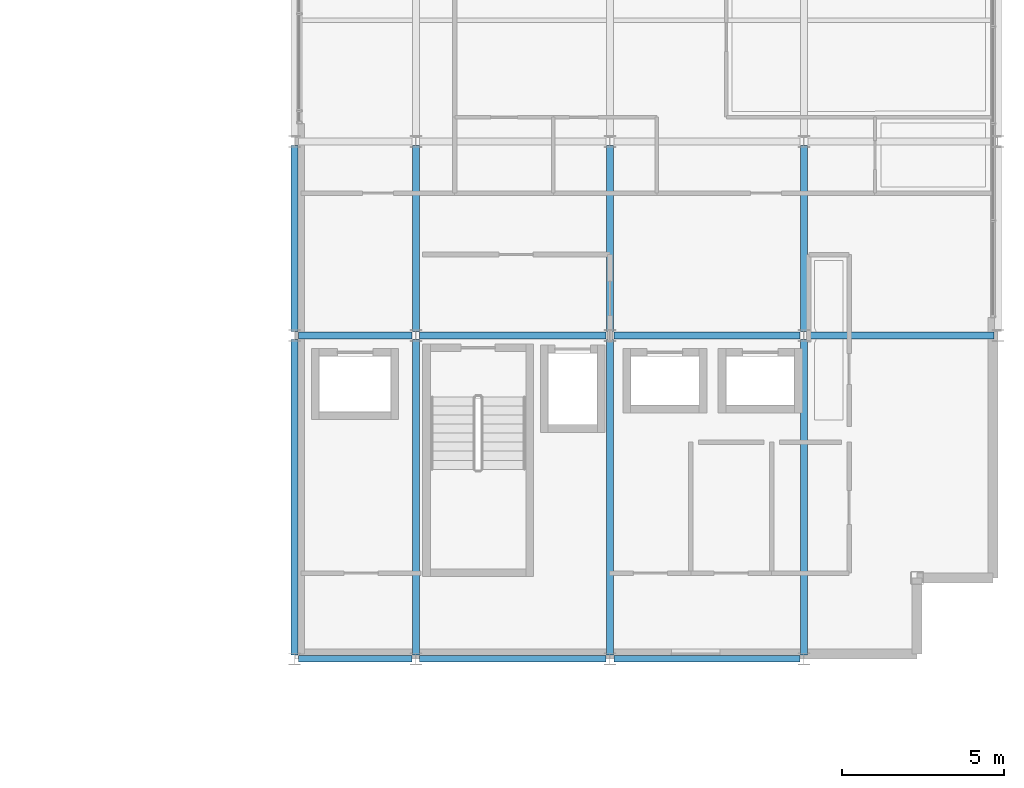
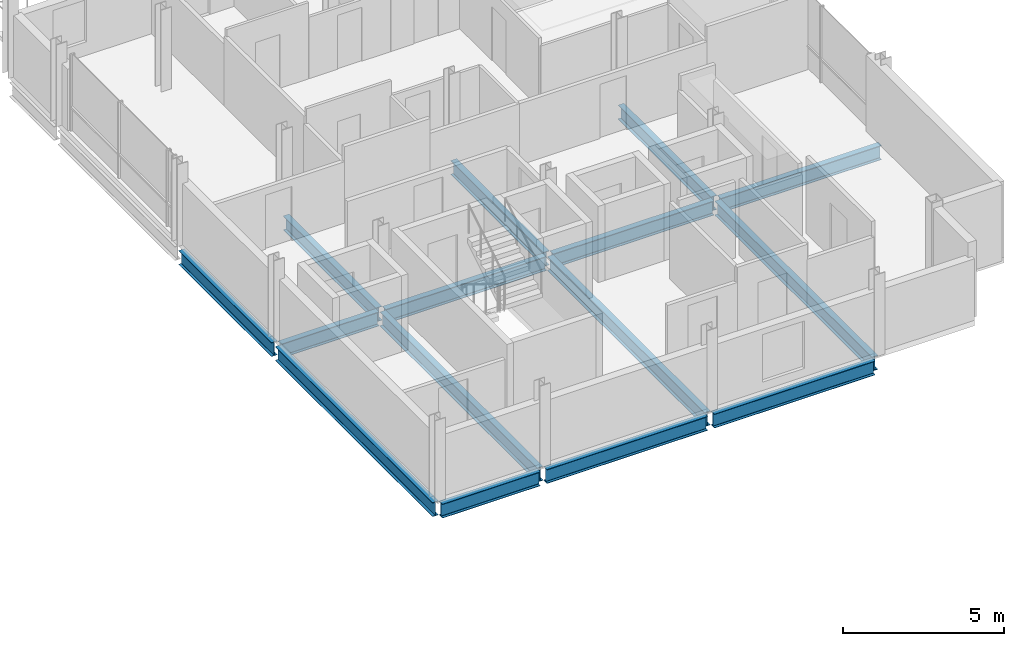
# One storey, part 10 of 29: 15 beams.
"""IFC4 building model written with IfcOpenShell, lengths in metres."""

from ifc_helpers import new_model, si_unit, direction, frame, origin, origin_2d, place, context, subcontext, project, spatial, i_section, extrude, material, material_profile, profile_set, type_object, element, save


model = new_model("IFC4")

# Units and contexts
model_context = context("Model", 3, precision=1e-05, world=origin(), true_north=direction((0.0, 1.0)))
body_context = subcontext(model_context, "Body", "Model", "MODEL_VIEW")
ifc_project = project(units=[si_unit("LENGTHUNIT", "METRE"), si_unit("AREAUNIT", "SQUARE_METRE"), si_unit("VOLUMEUNIT", "CUBIC_METRE"), si_unit("PLANEANGLEUNIT", "RADIAN"), si_unit("MASSUNIT", "GRAM", prefix="KILO")], contexts=[model_context])

# Site, building, storey
site_placement = place(None, origin())
site = spatial("IfcSite", under=ifc_project, at=site_placement, CompositionType="ELEMENT")
building_placement = place(site_placement, origin())
building = spatial("IfcBuilding", under=site, at=building_placement, Name="Brevholm Reach", CompositionType="ELEMENT")
storey_placement = place(building_placement, frame((0.0, 0.0, 208.0)))
storey = spatial("IfcBuildingStorey", under=building, at=storey_placement, Name="L63", CompositionType="ELEMENT", Elevation=208.0)

# Beams
ifc_material_1 = material(Name="Structural Steel S355J2", Category="steel")
ifc_material_profile_1 = material_profile(ifc_material_1, i_section(OverallWidth=0.209228515625, OverallDepth=0.533203125, WebThickness=0.010009765625, FlangeThickness=0.015625, FilletRadius=0.0126953125, at=origin_2d()), Name="UKB 533x210x92")
ifc_profile_set_1 = profile_set([ifc_material_profile_1], Name="Structural Steel S355J2")
beam_type_1 = type_object("IfcBeamType", Name="BM-SP533", PredefinedType="SPANDREL", material=ifc_profile_set_1)
beam_1_placement = place(storey_placement, frame((38.3701171875, 0.0, -0.4765625), z_axis=(1.0, 0.0, 0.0), x_axis=(0.0, 1.0, 0.0)))
element("IfcBeam", 1, at=beam_1_placement, inside=storey, type_object=beam_type_1, Name="L63 SP-02 Framing Beam", PredefinedType="SPANDREL", context=body_context, shape_type="SweptSolid", body=[
    extrude(i_section(OverallWidth=0.209228515625, OverallDepth=0.533203125, WebThickness=0.010009765625, FlangeThickness=0.015625, FilletRadius=0.0126953125, at=origin_2d()), origin(), (0.0, 0.0, 1.0), 3.509765625),
])
for number, where, z_axis, x_axis, name in (
    (2, (42.1201171875, 0.0, -0.4765625), (1.0, 0.0, 0.0), (0.0, 1.0, 0.0), "L63 SP-02 Framing Beam"),
    (3, (48.1201171875, 0.0, -0.4765625), (1.0, 0.0, 0.0), (0.0, 1.0, 0.0), "L63 SP-02 Framing Beam"),
):
    element("IfcBeam", number, at=place(storey_placement, frame(where, z_axis=z_axis, x_axis=x_axis)), inside=storey, type_object=beam_type_1, Name=name, PredefinedType="SPANDREL", context=body_context, shape_type="SweptSolid", body=[
        extrude(i_section(OverallWidth=0.209228515625, OverallDepth=0.533203125, WebThickness=0.010009765625, FlangeThickness=0.015625, FilletRadius=0.0126953125, at=origin_2d()), origin(), (0.0, 0.0, 1.0), 5.759765625),
    ])
beam_2_placement = place(storey_placement, frame((38.25, 0.1201171875, -0.4765625), z_axis=(0.0, 1.0, 0.0), x_axis=(-1.0, 0.0, 0.0)))
element("IfcBeam", 4, at=beam_2_placement, inside=storey, type_object=beam_type_1, Name="L63 SP-02 Framing Beam", PredefinedType="SPANDREL", context=body_context, shape_type="SweptSolid", body=[
    extrude(i_section(OverallWidth=0.209228515625, OverallDepth=0.533203125, WebThickness=0.010009765625, FlangeThickness=0.015625, FilletRadius=0.0126953125, at=origin_2d()), origin(), (0.0, 0.0, 1.0), 9.759765625),
])
beam_3_placement = place(storey_placement, frame((38.25, 10.1201171875, -0.4765625), z_axis=(0.0, 1.0, 0.0), x_axis=(-1.0, 0.0, 0.0)))
element("IfcBeam", 5, at=beam_3_placement, inside=storey, type_object=beam_type_1, Name="L63 SP-02 Framing Beam", PredefinedType="SPANDREL", context=body_context, shape_type="SweptSolid", body=[
    extrude(i_section(OverallWidth=0.209228515625, OverallDepth=0.533203125, WebThickness=0.010009765625, FlangeThickness=0.015625, FilletRadius=0.0126953125, at=origin_2d()), origin(), (0.0, 0.0, 1.0), 5.759765625),
])
ifc_material_2 = material(Name="Structural Steel S355J2", Category="steel")
ifc_material_profile_2 = material_profile(ifc_material_2, i_section(OverallWidth=0.210693359375, OverallDepth=0.53955078125, WebThickness=0.01171875, FlangeThickness=0.018798828125, FilletRadius=0.0126953125, at=origin_2d()), Name="UKB 533x210x109")
ifc_profile_set_2 = profile_set([ifc_material_profile_2], Name="Structural Steel S355J2")
beam_type_2 = type_object("IfcBeamType", Name="BM-SP539", PredefinedType="SPANDREL", material=ifc_profile_set_2)
beam_4_placement = place(storey_placement, frame((38.3701171875, 10.0, -0.479736328125), z_axis=(1.0, 0.0, 0.0), x_axis=(0.0, 1.0, 0.0)))
element("IfcBeam", 6, at=beam_4_placement, inside=storey, type_object=beam_type_2, Name="L63 SP-01B Framing Beam", PredefinedType="SPANDREL", context=body_context, shape_type="SweptSolid", body=[
    extrude(i_section(OverallWidth=0.210693359375, OverallDepth=0.53955078125, WebThickness=0.01171875, FlangeThickness=0.018798828125, FilletRadius=0.0126953125, at=origin_2d()), origin(), (0.0, 0.0, 1.0), 3.509765625),
])
for number, where, z_axis, x_axis, name in (
    (7, (42.1201171875, 10.0, -0.479736328125), (1.0, 0.0, 0.0), (0.0, 1.0, 0.0), "L63 SP-01B Framing Beam"),
    (8, (48.1201171875, 10.0, -0.479736328125), (1.0, 0.0, 0.0), (0.0, 1.0, 0.0), "L63 SP-01B Framing Beam"),
    (9, (54.1201171875, 10.0, -0.479736328125), (1.0, 0.0, 0.0), (0.0, 1.0, 0.0), "L63 SP-01B Framing Beam"),
):
    element("IfcBeam", number, at=place(storey_placement, frame(where, z_axis=z_axis, x_axis=x_axis)), inside=storey, type_object=beam_type_2, Name=name, PredefinedType="SPANDREL", context=body_context, shape_type="SweptSolid", body=[
        extrude(i_section(OverallWidth=0.210693359375, OverallDepth=0.53955078125, WebThickness=0.01171875, FlangeThickness=0.018798828125, FilletRadius=0.0126953125, at=origin_2d()), origin(), (0.0, 0.0, 1.0), 5.759765625),
    ])
beam_5_placement = place(storey_placement, frame((42.0, 0.1201171875, -0.479736328125), z_axis=(0.0, 1.0, 0.0), x_axis=(-1.0, 0.0, 0.0)))
element("IfcBeam", 10, at=beam_5_placement, inside=storey, type_object=beam_type_2, Name="L63 SP-01B Framing Beam", PredefinedType="SPANDREL", context=body_context, shape_type="SweptSolid", body=[
    extrude(i_section(OverallWidth=0.210693359375, OverallDepth=0.53955078125, WebThickness=0.01171875, FlangeThickness=0.018798828125, FilletRadius=0.0126953125, at=origin_2d()), origin(), (0.0, 0.0, 1.0), 9.759765625),
])
beam_6_placement = place(storey_placement, frame((42.0, 10.1201171875, -0.479736328125), z_axis=(0.0, 1.0, 0.0), x_axis=(-1.0, 0.0, 0.0)))
element("IfcBeam", 11, at=beam_6_placement, inside=storey, type_object=beam_type_2, Name="L63 SP-01B Framing Beam", PredefinedType="SPANDREL", context=body_context, shape_type="SweptSolid", body=[
    extrude(i_section(OverallWidth=0.210693359375, OverallDepth=0.53955078125, WebThickness=0.01171875, FlangeThickness=0.018798828125, FilletRadius=0.0126953125, at=origin_2d()), origin(), (0.0, 0.0, 1.0), 5.759765625),
])
beam_7_placement = place(storey_placement, frame((48.0, 0.1201171875, -0.479736328125), z_axis=(0.0, 1.0, 0.0), x_axis=(-1.0, 0.0, 0.0)))
element("IfcBeam", 12, at=beam_7_placement, inside=storey, type_object=beam_type_2, Name="L63 SP-01B Framing Beam", PredefinedType="SPANDREL", context=body_context, shape_type="SweptSolid", body=[
    extrude(i_section(OverallWidth=0.210693359375, OverallDepth=0.53955078125, WebThickness=0.01171875, FlangeThickness=0.018798828125, FilletRadius=0.0126953125, at=origin_2d()), origin(), (0.0, 0.0, 1.0), 9.759765625),
])
beam_8_placement = place(storey_placement, frame((48.0, 10.1201171875, -0.479736328125), z_axis=(0.0, 1.0, 0.0), x_axis=(-1.0, 0.0, 0.0)))
element("IfcBeam", 13, at=beam_8_placement, inside=storey, type_object=beam_type_2, Name="L63 SP-01B Framing Beam", PredefinedType="SPANDREL", context=body_context, shape_type="SweptSolid", body=[
    extrude(i_section(OverallWidth=0.210693359375, OverallDepth=0.53955078125, WebThickness=0.01171875, FlangeThickness=0.018798828125, FilletRadius=0.0126953125, at=origin_2d()), origin(), (0.0, 0.0, 1.0), 5.759765625),
])
beam_9_placement = place(storey_placement, frame((54.0, 0.1201171875, -0.479736328125), z_axis=(0.0, 1.0, 0.0), x_axis=(-1.0, 0.0, 0.0)))
element("IfcBeam", 14, at=beam_9_placement, inside=storey, type_object=beam_type_2, Name="L63 SP-01B Framing Beam", PredefinedType="SPANDREL", context=body_context, shape_type="SweptSolid", body=[
    extrude(i_section(OverallWidth=0.210693359375, OverallDepth=0.53955078125, WebThickness=0.01171875, FlangeThickness=0.018798828125, FilletRadius=0.0126953125, at=origin_2d()), origin(), (0.0, 0.0, 1.0), 9.759765625),
])
beam_10_placement = place(storey_placement, frame((54.0, 10.1201171875, -0.479736328125), z_axis=(0.0, 1.0, 0.0), x_axis=(-1.0, 0.0, 0.0)))
element("IfcBeam", 15, at=beam_10_placement, inside=storey, type_object=beam_type_2, Name="L63 SP-01B Framing Beam", PredefinedType="SPANDREL", context=body_context, shape_type="SweptSolid", body=[
    extrude(i_section(OverallWidth=0.210693359375, OverallDepth=0.53955078125, WebThickness=0.01171875, FlangeThickness=0.018798828125, FilletRadius=0.0126953125, at=origin_2d()), origin(), (0.0, 0.0, 1.0), 5.759765625),
])

save(model, "model.ifc")
